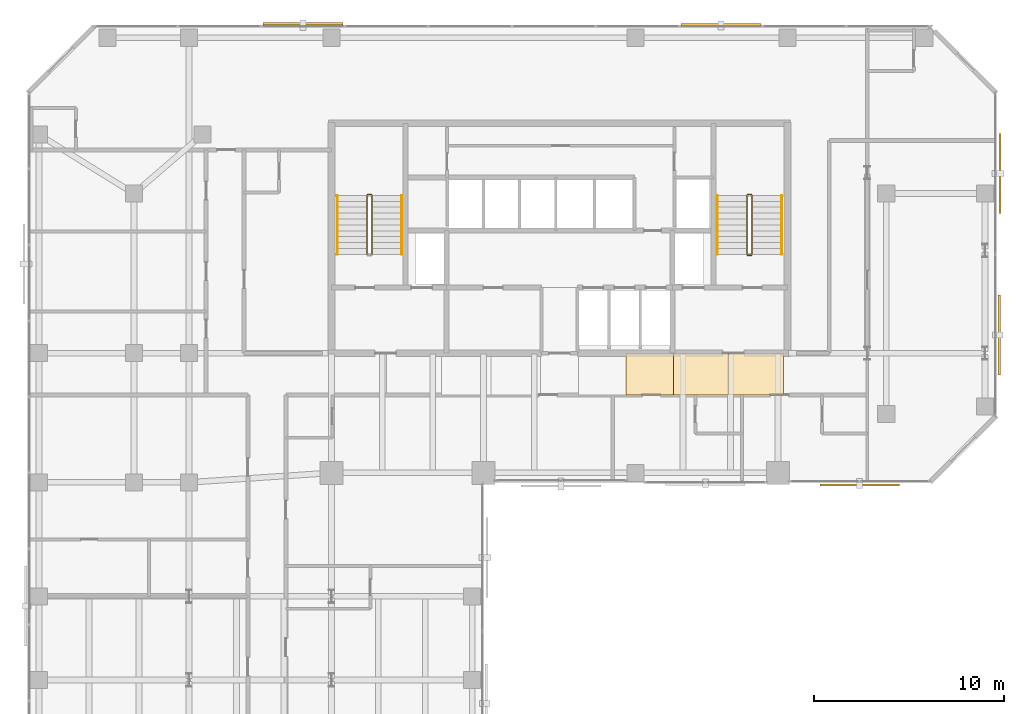
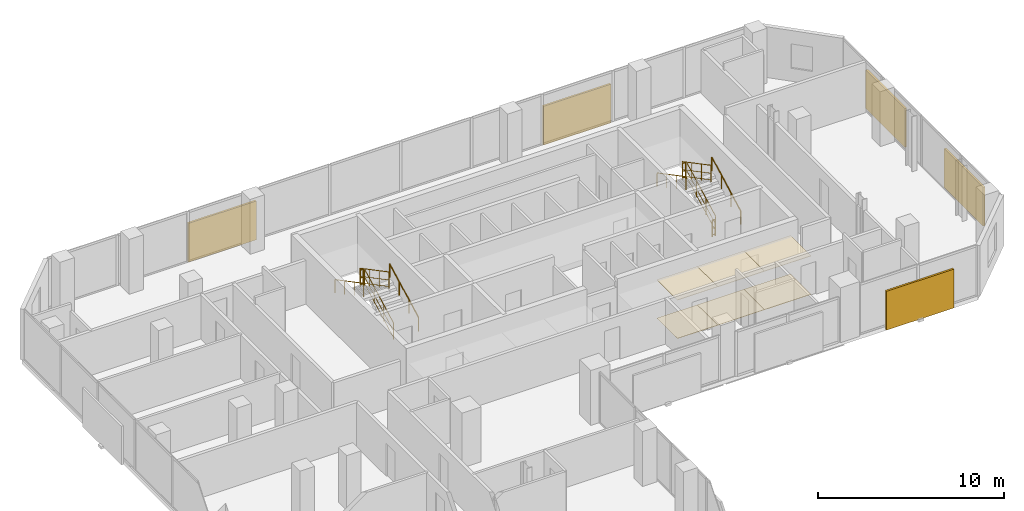
# One storey, part 34 of 34: 11 railings, 6 coverings, 5 shading devices.
"""IFC4 building model written with IfcOpenShell, lengths in metres."""

from ifc_helpers import new_model, si_unit, direction, frame, origin, origin_2d, place, context, subcontext, project, spatial, polyline, rectangle, circle, outline, extrude, material, layer, layer_set, type_object, element, save


model = new_model("IFC4")

# Units and contexts
model_context = context("Model", 3, precision=1e-05, world=origin(), true_north=direction((0.0, 1.0)))
body_context = subcontext(model_context, "Body", "Model", "MODEL_VIEW")
ifc_project = project(units=[si_unit("LENGTHUNIT", "METRE"), si_unit("AREAUNIT", "SQUARE_METRE"), si_unit("VOLUMEUNIT", "CUBIC_METRE"), si_unit("PLANEANGLEUNIT", "RADIAN"), si_unit("MASSUNIT", "GRAM", prefix="KILO")], contexts=[model_context])

# Site, building, storey
site_placement = place(None, origin())
site = spatial("IfcSite", under=ifc_project, at=site_placement, CompositionType="ELEMENT")
building_placement = place(site_placement, origin())
building = spatial("IfcBuilding", under=site, at=building_placement, Name="Catumbela Crestline Tower", CompositionType="ELEMENT")
storey_placement = place(building_placement, frame((0.0, 0.0, 111.6)))
storey = spatial("IfcBuildingStorey", under=building, at=storey_placement, Name="L28", CompositionType="ELEMENT", Elevation=111.6)

# Coverings
ifc_material_1 = material(Name="Mineral-fibre acoustic ceiling")
ifc_layer_1 = layer(ifc_material_1, 0.03, Name="Mineral-fibre acoustic ceiling")
ifc_layer_set_1 = layer_set([ifc_layer_1], Name="Mineral-fibre acoustic ceiling")
covering_type_1 = type_object("IfcCoveringType", Name="CC-AC", PredefinedType="CEILING", material=ifc_layer_set_1)
covering_1_placement = place(storey_placement, frame((0.0, 0.0, 2.52)))
element("IfcCovering", 1, at=covering_1_placement, inside=storey, type_object=covering_type_1, Name="L28 Corridor Acoustic Ceiling Bay 6", PredefinedType="CEILING", context=body_context, shape_type="SweptSolid", body=[
    extrude(outline(polyline([(31.5, 28.6), (34.0, 28.6), (34.0, 30.8), (31.5, 30.8), (31.5, 28.6)])), origin(), (0.0, 0.0, 1.0), 0.03),
])
covering_2_placement = place(storey_placement, frame((0.0, 0.0, 2.52)))
element("IfcCovering", 2, at=covering_2_placement, inside=storey, type_object=covering_type_1, Name="L28 Corridor Acoustic Ceiling Bay 7", PredefinedType="CEILING", context=body_context, shape_type="SweptSolid", body=[
    extrude(outline(polyline([(34.0, 28.6), (36.9, 28.6), (36.9, 30.8), (34.0, 30.8), (34.0, 28.6)])), origin(), (0.0, 0.0, 1.0), 0.03),
])
covering_3_placement = place(storey_placement, frame((0.0, 0.0, 2.52)))
element("IfcCovering", 3, at=covering_3_placement, inside=storey, type_object=covering_type_1, Name="L28 Corridor Acoustic Ceiling Bay 8", PredefinedType="CEILING", context=body_context, shape_type="SweptSolid", body=[
    extrude(outline(polyline([(36.9, 28.6), (39.8, 28.6), (39.8, 30.8), (36.9, 30.8), (36.9, 28.6)])), origin(), (0.0, 0.0, 1.0), 0.03),
])
ifc_material_2 = material(Name="Angolan grey-ochre granite", Category="masonry")
ifc_layer_2 = layer(ifc_material_2, 0.025, Name="Angolan grey-ochre granite")
ifc_layer_set_2 = layer_set([ifc_layer_2], Name="Angolan grey-ochre granite")
covering_type_2 = type_object("IfcCoveringType", Name="CF-GR", PredefinedType="FLOORING", material=ifc_layer_set_2)
covering_4_placement = place(storey_placement, origin())
element("IfcCovering", 4, at=covering_4_placement, inside=storey, type_object=covering_type_2, Name="L28 Corridor Granite Flooring Bay 6", PredefinedType="FLOORING", context=body_context, shape_type="SweptSolid", body=[
    extrude(outline(polyline([(31.5, 28.6), (34.0, 28.6), (34.0, 30.8), (31.5, 30.8), (31.5, 28.6)])), origin(), (0.0, 0.0, 1.0), 0.025),
])
covering_5_placement = place(storey_placement, origin())
element("IfcCovering", 5, at=covering_5_placement, inside=storey, type_object=covering_type_2, Name="L28 Corridor Granite Flooring Bay 7", PredefinedType="FLOORING", context=body_context, shape_type="SweptSolid", body=[
    extrude(outline(polyline([(34.0, 28.6), (36.9, 28.6), (36.9, 30.8), (34.0, 30.8), (34.0, 28.6)])), origin(), (0.0, 0.0, 1.0), 0.025),
])
covering_6_placement = place(storey_placement, origin())
element("IfcCovering", 6, at=covering_6_placement, inside=storey, type_object=covering_type_2, Name="L28 Corridor Granite Flooring Bay 8", PredefinedType="FLOORING", context=body_context, shape_type="SweptSolid", body=[
    extrude(outline(polyline([(36.9, 28.6), (39.8, 28.6), (39.8, 30.8), (36.9, 30.8), (36.9, 28.6)])), origin(), (0.0, 0.0, 1.0), 0.025),
])

# Railings
ifc_material_3 = material(Name="Stainless steel EN 1.4401", Category="steel")
railing_type_1 = type_object("IfcRailingType", Name="RG-1100", PredefinedType="GUARDRAIL", material=ifc_material_3)
railing_1_placement = place(storey_placement, frame((18.14, 36.0, 0.1636)))
element("IfcRailing", 7, at=railing_1_placement, inside=storey, type_object=railing_type_1, Name="L28 ST-01 stair guard 1", PredefinedType="GUARDRAIL", context=body_context, shape_type="SweptSolid", body=[
    extrude(circle(Radius=0.024, at=origin_2d()), frame((0.0, 0.0, 1.076), z_axis=(0.0, 0.884350731049, 0.466823076222), x_axis=(-1.0, 0.0, 0.0)), (0.0, 0.0, 1.0), 3.5054),
    extrude(circle(Radius=0.0156, at=origin_2d()), frame((0.0, 0.0, 0.55), z_axis=(0.0, 0.884350731049, 0.466823076222), x_axis=(-1.0, 0.0, 0.0)), (0.0, 0.0, 1.0), 3.5054),
    extrude(circle(Radius=0.0156, at=origin_2d()), frame((0.0, 0.0, 0.12), z_axis=(0.0, 0.884350731049, 0.466823076222), x_axis=(-1.0, 0.0, 0.0)), (0.0, 0.0, 1.0), 3.5054),
    extrude(circle(Radius=0.021, at=origin_2d()), origin(), (0.0, 0.0, 1.0), 1.052),
    extrude(circle(Radius=0.021, at=origin_2d()), frame((0.0, 1.0333, 0.5455)), (0.0, 0.0, 1.0), 1.052),
    extrude(circle(Radius=0.021, at=origin_2d()), frame((0.0, 2.0667, 1.0909)), (0.0, 0.0, 1.0), 1.052),
    extrude(circle(Radius=0.021, at=origin_2d()), frame((0.0, 3.1, 1.6364)), (0.0, 0.0, 1.0), 1.052),
])
railing_2_placement = place(storey_placement, frame((18.09, 39.15, 1.8)))
element("IfcRailing", 8, at=railing_2_placement, inside=storey, type_object=railing_type_1, Name="L28 ST-01 stair guard 2", PredefinedType="GUARDRAIL", context=body_context, shape_type="SweptSolid", body=[
    extrude(circle(Radius=0.024, at=origin_2d()), frame((0.0, 0.0, 1.076), z_axis=(-1.0, 0.0, 0.0), x_axis=(0.0, -1.0, 0.0)), (0.0, 0.0, 1.0), 0.18),
    extrude(circle(Radius=0.0156, at=origin_2d()), frame((0.0, 0.0, 0.55), z_axis=(-1.0, 0.0, 0.0), x_axis=(0.0, -1.0, 0.0)), (0.0, 0.0, 1.0), 0.18),
    extrude(circle(Radius=0.0156, at=origin_2d()), frame((0.0, 0.0, 0.12), z_axis=(-1.0, 0.0, 0.0), x_axis=(0.0, -1.0, 0.0)), (0.0, 0.0, 1.0), 0.18),
    extrude(circle(Radius=0.021, at=origin_2d()), origin(), (0.0, 0.0, 1.0), 1.052),
    extrude(circle(Radius=0.021, at=origin_2d()), frame((-0.18, 0.0, 0.0)), (0.0, 0.0, 1.0), 1.052),
])
railing_3_placement = place(storey_placement, frame((17.86, 39.1, 1.9636)))
element("IfcRailing", 9, at=railing_3_placement, inside=storey, type_object=railing_type_1, Name="L28 ST-01 stair guard 3", PredefinedType="GUARDRAIL", context=body_context, shape_type="SweptSolid", body=[
    extrude(circle(Radius=0.024, at=origin_2d()), frame((0.0, 0.0, 1.076), z_axis=(0.0, -0.884350731049, 0.466823076222), x_axis=(1.0, 0.0, 0.0)), (0.0, 0.0, 1.0), 3.5054),
    extrude(circle(Radius=0.0156, at=origin_2d()), frame((0.0, 0.0, 0.55), z_axis=(0.0, -0.884350731049, 0.466823076222), x_axis=(1.0, 0.0, 0.0)), (0.0, 0.0, 1.0), 3.5054),
    extrude(circle(Radius=0.0156, at=origin_2d()), frame((0.0, 0.0, 0.12), z_axis=(0.0, -0.884350731049, 0.466823076222), x_axis=(1.0, 0.0, 0.0)), (0.0, 0.0, 1.0), 3.5054),
    extrude(circle(Radius=0.021, at=origin_2d()), origin(), (0.0, 0.0, 1.0), 1.052),
    extrude(circle(Radius=0.021, at=origin_2d()), frame((0.0, -1.0333, 0.5455)), (0.0, 0.0, 1.0), 1.052),
    extrude(circle(Radius=0.021, at=origin_2d()), frame((0.0, -2.0667, 1.0909)), (0.0, 0.0, 1.0), 1.052),
    extrude(circle(Radius=0.021, at=origin_2d()), frame((0.0, -3.1, 1.6364)), (0.0, 0.0, 1.0), 1.052),
])
railing_4_placement = place(storey_placement, frame((38.14, 36.0, 0.1636)))
element("IfcRailing", 10, at=railing_4_placement, inside=storey, type_object=railing_type_1, Name="L28 ST-02 stair guard 1", PredefinedType="GUARDRAIL", context=body_context, shape_type="SweptSolid", body=[
    extrude(circle(Radius=0.024, at=origin_2d()), frame((0.0, 0.0, 1.076), z_axis=(0.0, 0.884350731049, 0.466823076222), x_axis=(-1.0, 0.0, 0.0)), (0.0, 0.0, 1.0), 3.5054),
    extrude(circle(Radius=0.0156, at=origin_2d()), frame((0.0, 0.0, 0.55), z_axis=(0.0, 0.884350731049, 0.466823076222), x_axis=(-1.0, 0.0, 0.0)), (0.0, 0.0, 1.0), 3.5054),
    extrude(circle(Radius=0.0156, at=origin_2d()), frame((0.0, 0.0, 0.12), z_axis=(0.0, 0.884350731049, 0.466823076222), x_axis=(-1.0, 0.0, 0.0)), (0.0, 0.0, 1.0), 3.5054),
    extrude(circle(Radius=0.021, at=origin_2d()), origin(), (0.0, 0.0, 1.0), 1.052),
    extrude(circle(Radius=0.021, at=origin_2d()), frame((0.0, 1.0333, 0.5455)), (0.0, 0.0, 1.0), 1.052),
    extrude(circle(Radius=0.021, at=origin_2d()), frame((0.0, 2.0667, 1.0909)), (0.0, 0.0, 1.0), 1.052),
    extrude(circle(Radius=0.021, at=origin_2d()), frame((0.0, 3.1, 1.6364)), (0.0, 0.0, 1.0), 1.052),
])
railing_5_placement = place(storey_placement, frame((38.09, 39.15, 1.8)))
element("IfcRailing", 11, at=railing_5_placement, inside=storey, type_object=railing_type_1, Name="L28 ST-02 stair guard 2", PredefinedType="GUARDRAIL", context=body_context, shape_type="SweptSolid", body=[
    extrude(circle(Radius=0.024, at=origin_2d()), frame((0.0, 0.0, 1.076), z_axis=(-1.0, 0.0, 0.0), x_axis=(0.0, -1.0, 0.0)), (0.0, 0.0, 1.0), 0.18),
    extrude(circle(Radius=0.0156, at=origin_2d()), frame((0.0, 0.0, 0.55), z_axis=(-1.0, 0.0, 0.0), x_axis=(0.0, -1.0, 0.0)), (0.0, 0.0, 1.0), 0.18),
    extrude(circle(Radius=0.0156, at=origin_2d()), frame((0.0, 0.0, 0.12), z_axis=(-1.0, 0.0, 0.0), x_axis=(0.0, -1.0, 0.0)), (0.0, 0.0, 1.0), 0.18),
    extrude(circle(Radius=0.021, at=origin_2d()), origin(), (0.0, 0.0, 1.0), 1.052),
    extrude(circle(Radius=0.021, at=origin_2d()), frame((-0.18, 0.0, 0.0)), (0.0, 0.0, 1.0), 1.052),
])
railing_6_placement = place(storey_placement, frame((37.86, 39.1, 1.9636)))
element("IfcRailing", 12, at=railing_6_placement, inside=storey, type_object=railing_type_1, Name="L28 ST-02 stair guard 3", PredefinedType="GUARDRAIL", context=body_context, shape_type="SweptSolid", body=[
    extrude(circle(Radius=0.024, at=origin_2d()), frame((0.0, 0.0, 1.076), z_axis=(0.0, -0.884350731049, 0.466823076222), x_axis=(1.0, 0.0, 0.0)), (0.0, 0.0, 1.0), 3.5054),
    extrude(circle(Radius=0.0156, at=origin_2d()), frame((0.0, 0.0, 0.55), z_axis=(0.0, -0.884350731049, 0.466823076222), x_axis=(1.0, 0.0, 0.0)), (0.0, 0.0, 1.0), 3.5054),
    extrude(circle(Radius=0.0156, at=origin_2d()), frame((0.0, 0.0, 0.12), z_axis=(0.0, -0.884350731049, 0.466823076222), x_axis=(1.0, 0.0, 0.0)), (0.0, 0.0, 1.0), 3.5054),
    extrude(circle(Radius=0.021, at=origin_2d()), origin(), (0.0, 0.0, 1.0), 1.052),
    extrude(circle(Radius=0.021, at=origin_2d()), frame((0.0, -1.0333, 0.5455)), (0.0, 0.0, 1.0), 1.052),
    extrude(circle(Radius=0.021, at=origin_2d()), frame((0.0, -2.0667, 1.0909)), (0.0, 0.0, 1.0), 1.052),
    extrude(circle(Radius=0.021, at=origin_2d()), frame((0.0, -3.1, 1.6364)), (0.0, 0.0, 1.0), 1.052),
])
railing_7_placement = place(storey_placement, frame((38.09, 35.95, 0.0)))
element("IfcRailing", 13, at=railing_7_placement, inside=storey, type_object=railing_type_1, Name="L28 ST-02 stair guard 4", PredefinedType="GUARDRAIL", context=body_context, shape_type="SweptSolid", body=[
    extrude(circle(Radius=0.024, at=origin_2d()), frame((0.0, 0.0, 1.076), z_axis=(-1.0, 0.0, 0.0), x_axis=(0.0, -1.0, 0.0)), (0.0, 0.0, 1.0), 0.18),
    extrude(circle(Radius=0.0156, at=origin_2d()), frame((0.0, 0.0, 0.55), z_axis=(-1.0, 0.0, 0.0), x_axis=(0.0, -1.0, 0.0)), (0.0, 0.0, 1.0), 0.18),
    extrude(circle(Radius=0.0156, at=origin_2d()), frame((0.0, 0.0, 0.12), z_axis=(-1.0, 0.0, 0.0), x_axis=(0.0, -1.0, 0.0)), (0.0, 0.0, 1.0), 0.18),
    extrude(circle(Radius=0.021, at=origin_2d()), origin(), (0.0, 0.0, 1.0), 1.052),
    extrude(circle(Radius=0.021, at=origin_2d()), frame((-0.18, 0.0, 0.0)), (0.0, 0.0, 1.0), 1.052),
])
railing_type_2 = type_object("IfcRailingType", Name="RH-0900", PredefinedType="HANDRAIL", material=ifc_material_3)
railing_8_placement = place(storey_placement, frame((19.7, 36.0, 0.1636)))
element("IfcRailing", 14, at=railing_8_placement, inside=storey, type_object=railing_type_2, Name="L28 ST-01 stair handrail 1", PredefinedType="HANDRAIL", context=body_context, shape_type="SweptSolid", body=[
    extrude(circle(Radius=0.024, at=origin_2d()), frame((0.0, 0.0, 0.876), z_axis=(0.0, 0.884350731049, 0.466823076222), x_axis=(-1.0, 0.0, 0.0)), (0.0, 0.0, 1.0), 3.5054),
    extrude(circle(Radius=0.021, at=origin_2d()), origin(), (0.0, 0.0, 1.0), 0.852),
    extrude(circle(Radius=0.021, at=origin_2d()), frame((0.0, 1.0333, 0.5455)), (0.0, 0.0, 1.0), 0.852),
    extrude(circle(Radius=0.021, at=origin_2d()), frame((0.0, 2.0667, 1.0909)), (0.0, 0.0, 1.0), 0.852),
    extrude(circle(Radius=0.021, at=origin_2d()), frame((0.0, 3.1, 1.6364)), (0.0, 0.0, 1.0), 0.852),
])
railing_9_placement = place(storey_placement, frame((16.3, 39.1, 1.9636)))
element("IfcRailing", 15, at=railing_9_placement, inside=storey, type_object=railing_type_2, Name="L28 ST-01 stair handrail 2", PredefinedType="HANDRAIL", context=body_context, shape_type="SweptSolid", body=[
    extrude(circle(Radius=0.024, at=origin_2d()), frame((0.0, 0.0, 0.876), z_axis=(0.0, -0.884350731049, 0.466823076222), x_axis=(1.0, 0.0, 0.0)), (0.0, 0.0, 1.0), 3.5054),
    extrude(circle(Radius=0.021, at=origin_2d()), origin(), (0.0, 0.0, 1.0), 0.852),
    extrude(circle(Radius=0.021, at=origin_2d()), frame((0.0, -1.0333, 0.5455)), (0.0, 0.0, 1.0), 0.852),
    extrude(circle(Radius=0.021, at=origin_2d()), frame((0.0, -2.0667, 1.0909)), (0.0, 0.0, 1.0), 0.852),
    extrude(circle(Radius=0.021, at=origin_2d()), frame((0.0, -3.1, 1.6364)), (0.0, 0.0, 1.0), 0.852),
])
railing_10_placement = place(storey_placement, frame((39.7, 36.0, 0.1636)))
element("IfcRailing", 16, at=railing_10_placement, inside=storey, type_object=railing_type_2, Name="L28 ST-02 stair handrail 1", PredefinedType="HANDRAIL", context=body_context, shape_type="SweptSolid", body=[
    extrude(circle(Radius=0.024, at=origin_2d()), frame((0.0, 0.0, 0.876), z_axis=(0.0, 0.884350731049, 0.466823076222), x_axis=(-1.0, 0.0, 0.0)), (0.0, 0.0, 1.0), 3.5054),
    extrude(circle(Radius=0.021, at=origin_2d()), origin(), (0.0, 0.0, 1.0), 0.852),
    extrude(circle(Radius=0.021, at=origin_2d()), frame((0.0, 1.0333, 0.5455)), (0.0, 0.0, 1.0), 0.852),
    extrude(circle(Radius=0.021, at=origin_2d()), frame((0.0, 2.0667, 1.0909)), (0.0, 0.0, 1.0), 0.852),
    extrude(circle(Radius=0.021, at=origin_2d()), frame((0.0, 3.1, 1.6364)), (0.0, 0.0, 1.0), 0.852),
])
railing_11_placement = place(storey_placement, frame((36.3, 39.1, 1.9636)))
element("IfcRailing", 17, at=railing_11_placement, inside=storey, type_object=railing_type_2, Name="L28 ST-02 stair handrail 2", PredefinedType="HANDRAIL", context=body_context, shape_type="SweptSolid", body=[
    extrude(circle(Radius=0.024, at=origin_2d()), frame((0.0, 0.0, 0.876), z_axis=(0.0, -0.884350731049, 0.466823076222), x_axis=(1.0, 0.0, 0.0)), (0.0, 0.0, 1.0), 3.5054),
    extrude(circle(Radius=0.021, at=origin_2d()), origin(), (0.0, 0.0, 1.0), 0.852),
    extrude(circle(Radius=0.021, at=origin_2d()), frame((0.0, -1.0333, 0.5455)), (0.0, 0.0, 1.0), 0.852),
    extrude(circle(Radius=0.021, at=origin_2d()), frame((0.0, -2.0667, 1.0909)), (0.0, 0.0, 1.0), 0.852),
    extrude(circle(Radius=0.021, at=origin_2d()), frame((0.0, -3.1, 1.6364)), (0.0, 0.0, 1.0), 0.852),
])

# Shading devices
ifc_material_4 = material(Name="Extruded terracotta ceramic", Category="masonry")
shading_device_type_1 = type_object("IfcShadingDeviceType", Name="ST-180", PredefinedType="USERDEFINED", material=ifc_material_4)
shading_device_1_placement = place(storey_placement, frame((36.5, 48.099, -0.1), z_axis=(0.0, 0.0, 1.0), x_axis=(-1.0, 0.0, 0.0)))
element("IfcShadingDevice", 18, at=shading_device_1_placement, inside=storey, type_object=shading_device_type_1, Name="L28 Perforated Terracotta Solar Screen 298 (180 mm)", ObjectType="SCREEN", PredefinedType="USERDEFINED", context=body_context, shape_type="SweptSolid", body=[
    extrude(rectangle(XDim=4.2, YDim=0.12, at=origin_2d()), origin(), (0.0, 0.0, 1.0), 2.55),
])
shading_device_type_2 = type_object("IfcShadingDeviceType", Name="ST-260", PredefinedType="USERDEFINED", material=ifc_material_4)
for number, where, z_axis, x_axis, name in (
    (19, (43.8, 23.857, -0.1), (0.0, 0.0, 1.0), (1.0, 0.0, 0.0), "L28 Perforated Terracotta Solar Screen 295 (260 mm)"),
    (20, (51.143, 31.75, -0.1), (0.0, 0.0, 1.0), (0.0, 1.0, 0.0), "L28 Perforated Terracotta Solar Screen 296 (260 mm)"),
    (21, (14.5, 48.143, -0.1), (0.0, 0.0, 1.0), (-1.0, 0.0, 0.0), "L28 Perforated Terracotta Solar Screen 299 (260 mm)"),
):
    element("IfcShadingDevice", number, at=place(storey_placement, frame(where, z_axis=z_axis, x_axis=x_axis)), inside=storey, type_object=shading_device_type_2, Name=name, ObjectType="SCREEN", PredefinedType="USERDEFINED", context=body_context, shape_type="SweptSolid", body=[
        extrude(rectangle(XDim=4.2, YDim=0.12, at=origin_2d()), origin(), (0.0, 0.0, 1.0), 2.55),
    ])
shading_device_type_3 = type_object("IfcShadingDeviceType", Name="ST-340", PredefinedType="USERDEFINED", material=ifc_material_4)
shading_device_2_placement = place(storey_placement, frame((51.187, 40.25, -0.1), z_axis=(0.0, 0.0, 1.0), x_axis=(0.0, 1.0, 0.0)))
element("IfcShadingDevice", 22, at=shading_device_2_placement, inside=storey, type_object=shading_device_type_3, Name="L28 Perforated Terracotta Solar Screen 297 (340 mm)", ObjectType="SCREEN", PredefinedType="USERDEFINED", context=body_context, shape_type="SweptSolid", body=[
    extrude(rectangle(XDim=4.2, YDim=0.12, at=origin_2d()), origin(), (0.0, 0.0, 1.0), 2.55),
])

save(model, "model.ifc")
